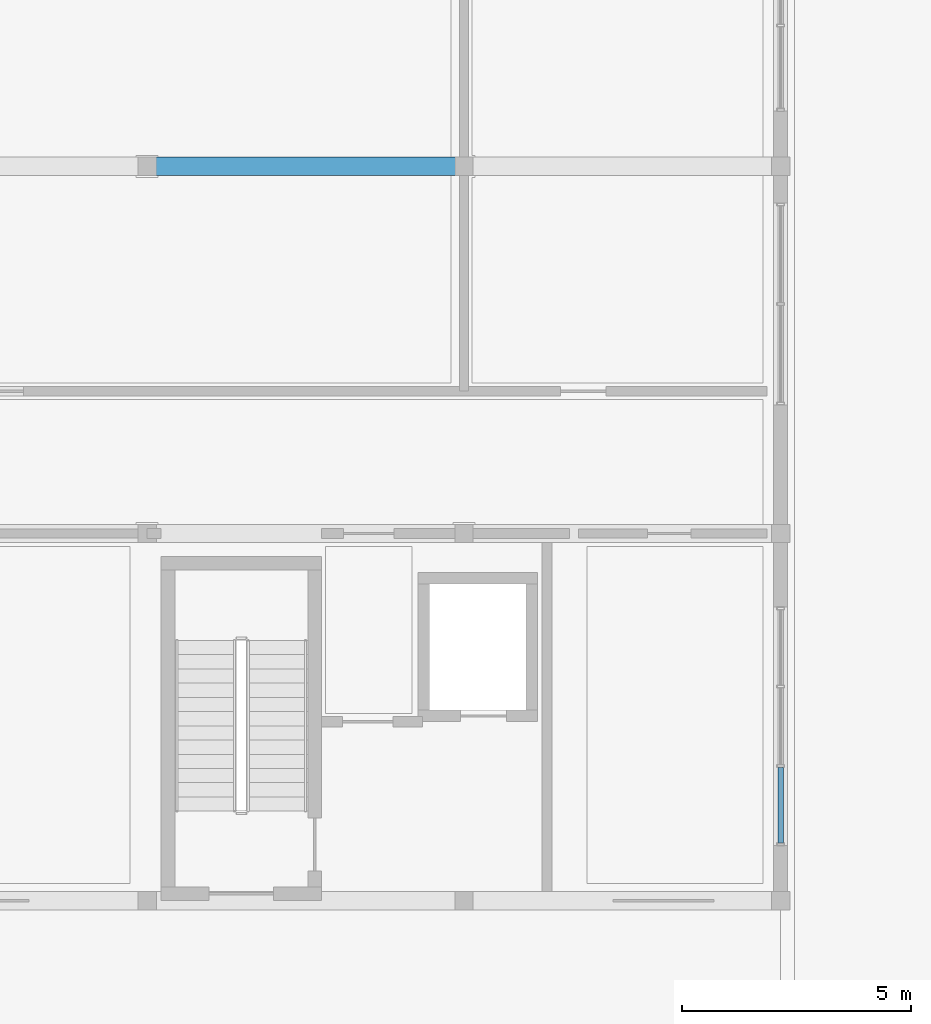
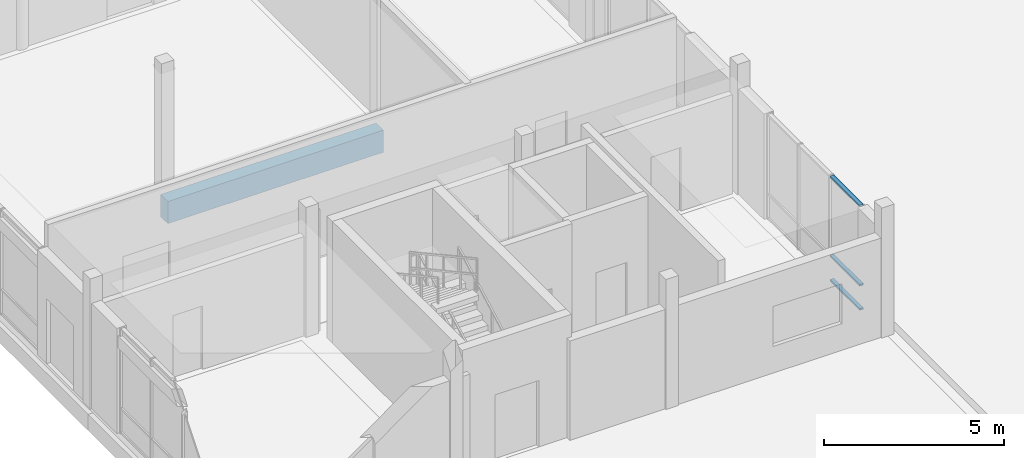
# One storey, part 49 of 233: 3 members, 1 beam, 1 element without a shape of its own.
"""IFC4 building model written with IfcOpenShell, lengths in metres."""

from ifc_helpers import new_model, si_unit, direction, frame, origin, origin_2d, place, context, subcontext, project, spatial, rectangle, hollow_rectangle, extrude, material, material_profile, profile_set, type_object, element, aggregate, save


model = new_model("IFC4")

# Units and contexts
model_context = context("Model", 3, precision=1e-05, world=origin(), true_north=direction((0.0, 1.0)))
body_context = subcontext(model_context, "Body", "Model", "MODEL_VIEW")
ifc_project = project(units=[si_unit("LENGTHUNIT", "METRE"), si_unit("AREAUNIT", "SQUARE_METRE"), si_unit("VOLUMEUNIT", "CUBIC_METRE"), si_unit("PLANEANGLEUNIT", "RADIAN"), si_unit("MASSUNIT", "GRAM", prefix="KILO")], contexts=[model_context])

# Site, building, storey
site_placement = place(None, origin())
site = spatial("IfcSite", under=ifc_project, at=site_placement, CompositionType="ELEMENT")
building_placement = place(site_placement, origin())
building = spatial("IfcBuilding", under=site, at=building_placement, Name="Zavelmont Quarter", CompositionType="ELEMENT")
storey_placement = place(building_placement, origin())
storey = spatial("IfcBuildingStorey", under=building, at=storey_placement, Name="L00", CompositionType="ELEMENT", Elevation=0.0)

# Beam
ifc_material_1 = material(Name="Concrete C40/50", Category="concrete")
ifc_material_profile_1 = material_profile(ifc_material_1, rectangle(XDim=0.39990234375, YDim=0.75, at=origin_2d()), Name="RC400X750")
ifc_profile_set_1 = profile_set([ifc_material_profile_1], Name="Concrete C40/50")
beam_type = type_object("IfcBeamType", Name="BM05", PredefinedType="BEAM", material=ifc_profile_set_1)
beam_placement = place(storey_placement, frame((6.89990234375, 46.0, -0.695068359375), z_axis=(1.0, 0.0, 0.0), x_axis=(0.0, 1.0, 0.0)))
element("IfcBeam", 1, at=beam_placement, inside=storey, type_object=beam_type, Name="L00 beam BM05 2/H to 3/H", PredefinedType="BEAM", context=body_context, shape_type="SweptSolid", body=[
    extrude(rectangle(XDim=0.39990234375, YDim=0.75, at=origin_2d()), origin(), (0.0, 0.0, 1.0), 6.900146484375),
])

# Curtain wall, members
ifc_material_2 = material(Name="Thermally broken aluminium and double low-E safety glazing", Category="aluminium")
curtain_wall_type = type_object("IfcCurtainWallType", Name="CW-520X356", PredefinedType="NOTDEFINED", material=ifc_material_2)
curtain_wall_placement = place(storey_placement, origin())
curtain_wall = element("IfcCurtainWall", 2, at=curtain_wall_placement, inside=storey, type_object=curtain_wall_type, Name="L00 unitised curtain wall CW-520X356", PredefinedType="NOTDEFINED")
ifc_material_3 = material(Name="Powder-coated aluminium EN AW-6063-T6", Category="aluminium")
ifc_material_profile_2 = material_profile(ifc_material_3, hollow_rectangle(XDim=0.1201171875, YDim=0.06005859375, WallThickness=0.00390625, at=origin_2d()), Name="CWT60X120")
ifc_profile_set_2 = profile_set([ifc_material_profile_2], Name="Powder-coated aluminium EN AW-6063-T6")
member_type = type_object("IfcMemberType", Name="CWT01", PredefinedType="NOTDEFINED", material=ifc_profile_set_2)
member_1_placement = place(storey_placement, frame((20.699951171875, 31.260009765625, 0.030029296875), z_axis=(0.0, 1.0, 0.0), x_axis=(-1.0, 0.0, 0.0)))
member_1 = element("IfcMember", 3, at=member_1_placement, type_object=member_type, Name="CW-520X356 transom 1.1", ObjectType="TRANSOM", PredefinedType="USERDEFINED", context=body_context, shape_type="SweptSolid", body=[
    extrude(hollow_rectangle(XDim=0.1201171875, YDim=0.06005859375, WallThickness=0.00390625, at=origin_2d()), origin(), (0.0, 0.0, 1.0), 1.643310546875),
])
member_2_placement = place(storey_placement, frame((20.699951171875, 31.260009765625, 0.85009765625), z_axis=(0.0, 1.0, 0.0), x_axis=(-1.0, 0.0, 0.0)))
member_2 = element("IfcMember", 4, at=member_2_placement, type_object=member_type, Name="CW-520X356 transom 1.2", ObjectType="TRANSOM", PredefinedType="USERDEFINED", context=body_context, shape_type="SweptSolid", body=[
    extrude(hollow_rectangle(XDim=0.1201171875, YDim=0.06005859375, WallThickness=0.00390625, at=origin_2d()), origin(), (0.0, 0.0, 1.0), 1.643310546875),
])
member_3_placement = place(storey_placement, frame((20.699951171875, 31.260009765625, 3.530029296875), z_axis=(0.0, 1.0, 0.0), x_axis=(-1.0, 0.0, 0.0)))
member_3 = element("IfcMember", 5, at=member_3_placement, type_object=member_type, Name="CW-520X356 transom 1.3", ObjectType="TRANSOM", PredefinedType="USERDEFINED", context=body_context, shape_type="SweptSolid", body=[
    extrude(hollow_rectangle(XDim=0.1201171875, YDim=0.06005859375, WallThickness=0.00390625, at=origin_2d()), origin(), (0.0, 0.0, 1.0), 1.643310546875),
])
aggregate(curtain_wall, [member_1, member_2, member_3])

save(model, "model.ifc")
